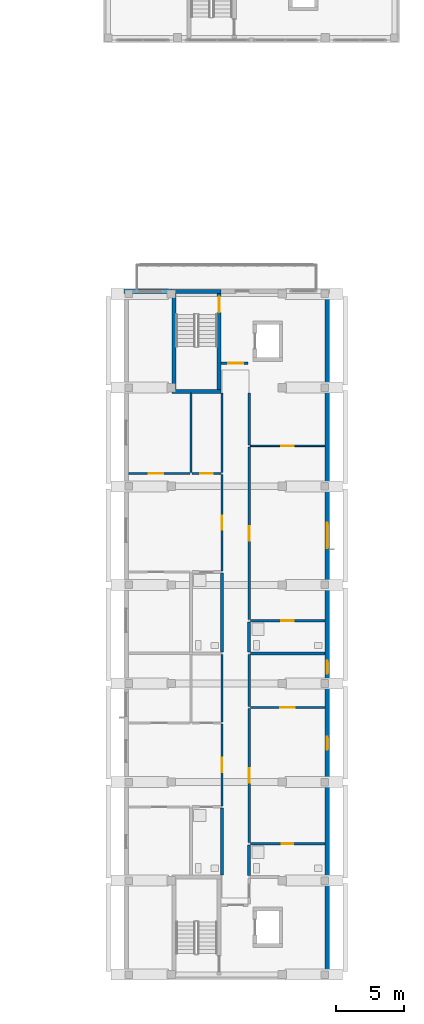
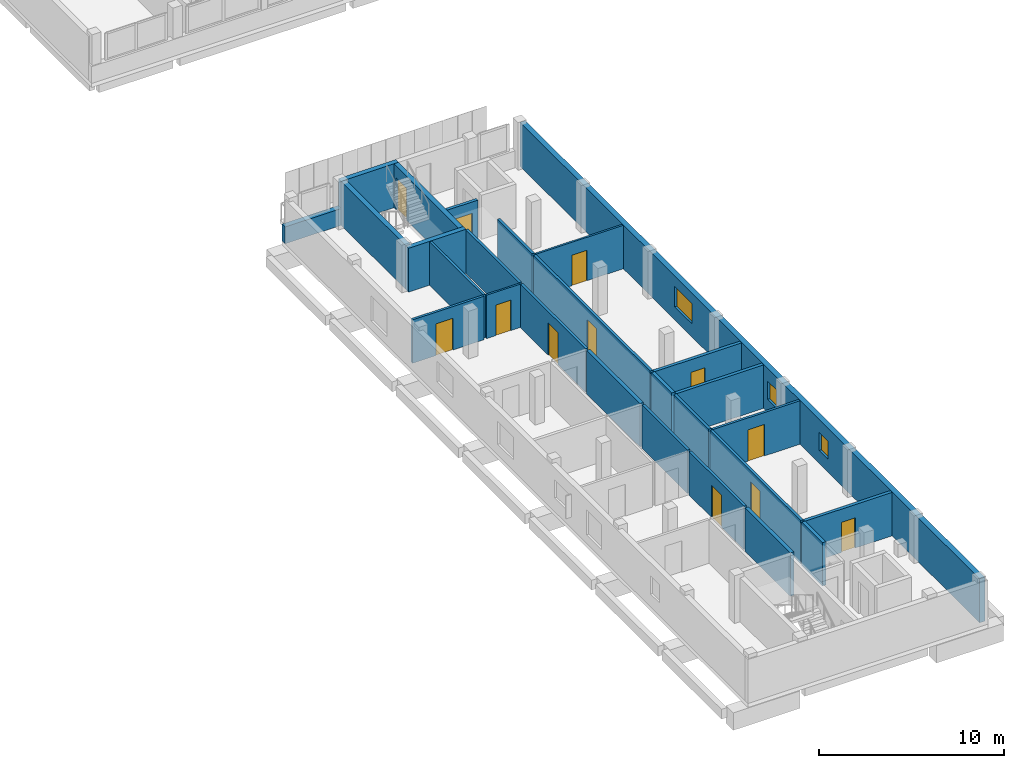
# One storey, part 20 of 38: 27 walls, 12 doors, 3 windows, 15 openings.
"""IFC4 building model written with IfcOpenShell, lengths in metres."""

from ifc_helpers import new_model, si_unit, derived_unit, direction, frame, frame_2d, origin, place, context, subcontext, project, spatial, rectangle, extrude, material, layer, layer_set, type_object, element, fill, save


model = new_model("IFC4")

# Units and contexts
model_context = context("Model", 3, precision=1e-05, world=origin(), true_north=direction((0.0, 1.0)))
body_context = subcontext(model_context, "Body", "Model", "MODEL_VIEW")
ifc_project = project(units=[si_unit("LENGTHUNIT", "METRE"), si_unit("AREAUNIT", "SQUARE_METRE"), si_unit("VOLUMEUNIT", "CUBIC_METRE"), si_unit("PLANEANGLEUNIT", "RADIAN"), si_unit("MASSUNIT", "GRAM", prefix="KILO"), derived_unit("THERMALTRANSMITTANCEUNIT", [(si_unit("MASSUNIT", "GRAM", prefix="KILO"), 1), (si_unit("TIMEUNIT", "SECOND"), -3), (si_unit("THERMODYNAMICTEMPERATUREUNIT", "KELVIN"), -1)])], contexts=[model_context])

# Site, building, storey
site_placement = place(None, origin())
site = spatial("IfcSite", under=ifc_project, at=site_placement, CompositionType="ELEMENT")
building_placement = place(site_placement, origin())
building = spatial("IfcBuilding", under=site, at=building_placement, Name="Ochrekiln Boulevard Commons", CompositionType="ELEMENT")
storey_placement = place(building_placement, frame((0.0, 0.0, 24.675048828125)))
storey = spatial("IfcBuildingStorey", under=building, at=storey_placement, Name="L07", CompositionType="ELEMENT", Elevation=24.675048828125)

# Wall, openings, windows
ifc_material_1 = material(Name="Desert ochre clinker brick masonry ASTM C216 Grade SW", Category="masonry")
ifc_layer_1 = layer(ifc_material_1, 0.330078125)
ifc_layer_set_1 = layer_set([ifc_layer_1], Name="Desert ochre clinker brick masonry ASTM C216 Grade SW")
wall_type_1 = type_object("IfcWallType", Name="WL-EXT-OCHRE-330", PredefinedType="SOLIDWALL", material=ifc_layer_set_1)
wall_1_placement = place(storey_placement, frame((167.534912109375, 0.330078125, 0.0), z_axis=(0.0, 0.0, 1.0), x_axis=(0.0, 1.0, 0.0)))
wall_1 = element("IfcWall", 1, at=wall_1_placement, inside=storey, type_object=wall_type_1, Name="Block C L07 E Exterior Wall", PredefinedType="SOLIDWALL", context=body_context, shape_type="SweptSolid", body=[
    extrude(rectangle(XDim=49.739990234375, YDim=0.330078125, at=frame_2d((24.8701171875, 0.0))), origin(), (0.0, 0.0, 1.0), 2.89990234375),
])
opening_1_placement = place(wall_1_placement, frame((16.416015625, 0.0, 0.85009765625)))
opening_1 = element("IfcOpeningElement", 2, at=opening_1_placement, cuts=wall_1, Name="Opening W-01", PredefinedType="OPENING", context=body_context, shape_type="SweptSolid", body=[
    extrude(rectangle(XDim=0.949951171875, YDim=1.199951171875, at=frame_2d((0.47509765625, 0.60009765625))), frame((0.0, 0.175048828125, 0.0), z_axis=(0.0, -1.0, 0.0), x_axis=(1.0, 0.0, 0.0)), (0.0, 0.0, 1.0), 0.35009765625),
])
opening_2_placement = place(wall_1_placement, frame((21.98095703125, 0.0, 0.85009765625)))
opening_2 = element("IfcOpeningElement", 3, at=opening_2_placement, cuts=wall_1, Name="Opening W-01", PredefinedType="OPENING", context=body_context, shape_type="SweptSolid", body=[
    extrude(rectangle(XDim=0.949951171875, YDim=1.199951171875, at=frame_2d((0.47509765625, 0.60009765625))), frame((0.0, 0.175048828125, 0.0), z_axis=(0.0, -1.0, 0.0), x_axis=(1.0, 0.0, 0.0)), (0.0, 0.0, 1.0), 0.35009765625),
])
opening_3_placement = place(wall_1_placement, frame((31.14501953125, 0.0, 0.864990234375)))
opening_3 = element("IfcOpeningElement", 4, at=opening_3_placement, cuts=wall_1, Name="Opening W-42", PredefinedType="OPENING", context=body_context, shape_type="SweptSolid", body=[
    extrude(rectangle(XDim=1.85009765625, YDim=1.35009765625, at=frame_2d((0.925048828125, 0.675048828125))), frame((0.0, 0.175048828125, 0.0), z_axis=(0.0, -1.0, 0.0), x_axis=(1.0, 0.0, 0.0)), (0.0, 0.0, 1.0), 0.35009765625),
])
ifc_material_2 = material(Name="Thermally broken aluminium-clad oak frame", Category="aluminium")
window_type_1 = type_object("IfcWindowType", Name="WIN-EXT-01", PartitioningType="SINGLE_PANEL", PredefinedType="WINDOW", material=ifc_material_2)
window_1_placement = place(opening_1_placement, origin())
window_1 = element("IfcWindow", 5, at=window_1_placement, inside=storey, type_object=window_type_1, Name="Block C L07 Punched Masonry Window W-01", OverallHeight=1.199951171875, OverallWidth=0.949951171875, PartitioningType="SINGLE_PANEL", PredefinedType="WINDOW", context=body_context, shape_type="SweptSolid", body=[
    extrude(rectangle(XDim=0.949951171875, YDim=1.199951171875, at=frame_2d((0.47509765625, 0.60009765625))), frame((0.0, 0.030029296875, 0.0), z_axis=(0.0, -1.0, 0.0), x_axis=(1.0, 0.0, 0.0)), (0.0, 0.0, 1.0), 0.06005859375),
])
fill(opening_1, window_1)
window_2_placement = place(opening_2_placement, origin())
window_2 = element("IfcWindow", 6, at=window_2_placement, inside=storey, type_object=window_type_1, Name="Block C L07 Punched Masonry Window W-01", OverallHeight=1.199951171875, OverallWidth=0.949951171875, PartitioningType="SINGLE_PANEL", PredefinedType="WINDOW", context=body_context, shape_type="SweptSolid", body=[
    extrude(rectangle(XDim=0.949951171875, YDim=1.199951171875, at=frame_2d((0.47509765625, 0.60009765625))), frame((0.0, 0.030029296875, 0.0), z_axis=(0.0, -1.0, 0.0), x_axis=(1.0, 0.0, 0.0)), (0.0, 0.0, 1.0), 0.06005859375),
])
fill(opening_2, window_2)
window_type_2 = type_object("IfcWindowType", Name="WIN-EXT-42", PartitioningType="DOUBLE_PANEL_VERTICAL", PredefinedType="WINDOW", material=ifc_material_2)
window_3_placement = place(opening_3_placement, origin())
window_3 = element("IfcWindow", 7, at=window_3_placement, inside=storey, type_object=window_type_2, Name="Block C L07 Punched Masonry Window W-42", OverallHeight=1.35009765625, OverallWidth=1.85009765625, PartitioningType="DOUBLE_PANEL_VERTICAL", PredefinedType="WINDOW", context=body_context, shape_type="SweptSolid", body=[
    extrude(rectangle(XDim=1.85009765625, YDim=1.35009765625, at=frame_2d((0.925048828125, 0.675048828125))), frame((0.0, 0.030029296875, 0.0), z_axis=(0.0, -1.0, 0.0), x_axis=(1.0, 0.0, 0.0)), (0.0, 0.0, 1.0), 0.06005859375),
])
fill(opening_3, window_3)

# Wall
wall_2_placement = place(storey_placement, frame((152.699951171875, 50.235107421875, 0.0), z_axis=(0.0, 0.0, 1.0), x_axis=(1.0, 0.0, 0.0)))
element("IfcWall", 8, at=wall_2_placement, inside=storey, type_object=wall_type_1, Name="Block C L07 Courtyard Gable Sill Wall L", PredefinedType="SOLIDWALL", context=body_context, shape_type="SweptSolid", body=[
    extrude(rectangle(XDim=3.5, YDim=0.330078125, at=frame_2d((1.75, 0.0))), origin(), (0.0, 0.0, 1.0), 1.10986328125),
])

# Wall, opening, door
ifc_material_3 = material(Name="Moisture-resistant cementitious tile backer wall")
ifc_layer_2 = layer(ifc_material_3, 0.199951171875)
ifc_layer_set_2 = layer_set([ifc_layer_2], Name="Moisture-resistant cementitious tile backer wall")
wall_type_2 = type_object("IfcWallType", Name="WL-PLM-200", PredefinedType="PLUMBINGWALL", material=ifc_layer_set_2)
wall_3_placement = place(storey_placement, frame((161.923095703125, 9.89990234375, 0.0), z_axis=(0.0, 0.0, 1.0), x_axis=(1.0, 0.0, 0.0)))
wall_3 = element("IfcWall", 9, at=wall_3_placement, inside=storey, type_object=wall_type_2, Name="L07 Interior Wall W-PW200", PredefinedType="PLUMBINGWALL", context=body_context, shape_type="SweptSolid", body=[
    extrude(rectangle(XDim=5.447021484375, YDim=0.199951171875, at=frame_2d((2.7236328125, 0.0))), origin(), (0.0, 0.0, 1.0), 2.869873046875),
])
opening_4_placement = place(wall_3_placement, frame((2.287109375, 0.0, 0.0)))
opening_4 = element("IfcOpeningElement", 10, at=opening_4_placement, cuts=wall_3, Name="Opening D-L07-969", PredefinedType="OPENING", context=body_context, shape_type="SweptSolid", body=[
    extrude(rectangle(XDim=0.860107421875, YDim=2.0, at=frame_2d((0.43017578125, 1.0))), frame((0.0, 0.10986328125, 0.0), z_axis=(0.0, -1.0, 0.0), x_axis=(1.0, 0.0, 0.0)), (0.0, 0.0, 1.0), 0.219970703125),
])
ifc_material_4 = material(Name="Solid core architectural oak door leaf")
door_type_1 = type_object("IfcDoorType", Name="DR-INT-BTH-086", OperationType="NOTDEFINED", PredefinedType="DOOR", material=ifc_material_4)
door_1_placement = place(opening_4_placement, frame((0.860107421875, 0.0, 0.0), z_axis=(0.0, 0.0, 1.0), x_axis=(-1.0, 0.0, 0.0)))
door_1 = element("IfcDoor", 11, at=door_1_placement, inside=storey, type_object=door_type_1, Name="L07 Interior Door to Loft Bathroom", OperationType="SINGLE_SWING_LEFT", OverallHeight=2.0, OverallWidth=0.860107421875, PredefinedType="DOOR", context=body_context, shape_type="SweptSolid", body=[
    extrude(rectangle(XDim=0.860107421875, YDim=2.0, at=frame_2d((0.43017578125, 1.0))), frame((0.0, 0.02490234375, 0.0), z_axis=(0.0, -1.0, 0.0), x_axis=(1.0, 0.0, 0.0)), (0.0, 0.0, 1.0), 0.050048828125),
])
fill(opening_4, door_1)

# Wall
wall_4_placement = place(storey_placement, frame((161.923095703125, 23.7919921875, 0.0), z_axis=(0.0, 0.0, 1.0), x_axis=(1.0, 0.0, 0.0)))
element("IfcWall", 12, at=wall_4_placement, inside=storey, type_object=wall_type_2, Name="L07 Interior Wall W-PW200", PredefinedType="PLUMBINGWALL", context=body_context, shape_type="SweptSolid", body=[
    extrude(rectangle(XDim=5.447021484375, YDim=0.199951171875, at=frame_2d((2.7236328125, 0.0))), origin(), (0.0, 0.0, 1.0), 2.869873046875),
])

# Wall, opening, door
wall_5_placement = place(storey_placement, frame((161.923095703125, 26.181884765625, 0.0), z_axis=(0.0, 0.0, 1.0), x_axis=(1.0, 0.0, 0.0)))
wall_5 = element("IfcWall", 13, at=wall_5_placement, inside=storey, type_object=wall_type_2, Name="L07 Interior Wall W-PW200", PredefinedType="PLUMBINGWALL", context=body_context, shape_type="SweptSolid", body=[
    extrude(rectangle(XDim=5.447021484375, YDim=0.199951171875, at=frame_2d((2.7236328125, 0.0))), origin(), (0.0, 0.0, 1.0), 2.869873046875),
])
opening_5_placement = place(wall_5_placement, frame((2.27197265625, 0.0, 0.0)))
opening_5 = element("IfcOpeningElement", 14, at=opening_5_placement, cuts=wall_5, Name="Opening D-L07-971", PredefinedType="OPENING", context=body_context, shape_type="SweptSolid", body=[
    extrude(rectangle(XDim=0.889892578125, YDim=2.030029296875, at=frame_2d((0.44482421875, 1.01513671875))), frame((0.0, 0.10986328125, 0.0), z_axis=(0.0, -1.0, 0.0), x_axis=(1.0, 0.0, 0.0)), (0.0, 0.0, 1.0), 0.219970703125),
])
door_type_2 = type_object("IfcDoorType", Name="DR-INT-BTH-089", OperationType="NOTDEFINED", PredefinedType="DOOR", material=ifc_material_4)
door_2_placement = place(opening_5_placement, frame((0.889892578125, 0.0, 0.0), z_axis=(0.0, 0.0, 1.0), x_axis=(-1.0, 0.0, 0.0)))
door_2 = element("IfcDoor", 15, at=door_2_placement, inside=storey, type_object=door_type_2, Name="L07 Interior Door to Loft Bathroom", OperationType="SINGLE_SWING_LEFT", OverallHeight=2.030029296875, OverallWidth=0.889892578125, PredefinedType="DOOR", context=body_context, shape_type="SweptSolid", body=[
    extrude(rectangle(XDim=0.889892578125, YDim=2.030029296875, at=frame_2d((0.44482421875, 1.01513671875))), frame((0.0, 0.02490234375, 0.0), z_axis=(0.0, -1.0, 0.0), x_axis=(1.0, 0.0, 0.0)), (0.0, 0.0, 1.0), 0.050048828125),
])
fill(opening_5, door_2)

# Walls
ifc_layer_3 = layer(ifc_material_3, 0.219970703125)
ifc_layer_set_3 = layer_set([ifc_layer_3], Name="Moisture-resistant cementitious tile backer wall")
wall_type_3 = type_object("IfcWallType", Name="WL-PLM-220", PredefinedType="PLUMBINGWALL", material=ifc_layer_set_3)
wall_6_placement = place(storey_placement, frame((159.860107421875, 7.60009765625, 0.0), z_axis=(0.0, 0.0, 1.0), x_axis=(0.0, 1.0, 0.0)))
element("IfcWall", 16, at=wall_6_placement, inside=storey, type_object=wall_type_3, Name="L07 Interior Wall W-PW220", PredefinedType="PLUMBINGWALL", context=body_context, shape_type="SweptSolid", body=[
    extrude(rectangle(XDim=4.911865234375, YDim=0.219970703125, at=frame_2d((2.4560546875, 0.0))), origin(), (0.0, 0.0, 1.0), 2.869873046875),
])
wall_7_placement = place(storey_placement, frame((159.860107421875, 23.882080078125, 0.0), z_axis=(0.0, 0.0, 1.0), x_axis=(0.0, 1.0, 0.0)))
element("IfcWall", 17, at=wall_7_placement, inside=storey, type_object=wall_type_3, Name="L07 Interior Wall W-PW220", PredefinedType="PLUMBINGWALL", context=body_context, shape_type="SweptSolid", body=[
    extrude(rectangle(XDim=5.784912109375, YDim=0.219970703125, at=frame_2d((2.892578125, 0.0))), origin(), (0.0, 0.0, 1.0), 2.869873046875),
])
wall_8_placement = place(storey_placement, frame((161.840087890625, 7.574951171875, 0.0), z_axis=(0.0, 0.0, 1.0), x_axis=(0.0, 1.0, 0.0)))
element("IfcWall", 18, at=wall_8_placement, inside=storey, type_object=wall_type_3, Name="L07 Interior Wall W-PW220", PredefinedType="PLUMBINGWALL", context=body_context, shape_type="SweptSolid", body=[
    extrude(rectangle(XDim=2.2451171875, YDim=0.219970703125, at=frame_2d((1.12255859375, 0.0))), origin(), (0.0, 0.0, 1.0), 2.869873046875),
])
wall_9_placement = place(storey_placement, frame((161.840087890625, 23.882080078125, 0.0), z_axis=(0.0, 0.0, 1.0), x_axis=(0.0, 1.0, 0.0)))
element("IfcWall", 19, at=wall_9_placement, inside=storey, type_object=wall_type_3, Name="L07 Interior Wall W-PW220", PredefinedType="PLUMBINGWALL", context=body_context, shape_type="SweptSolid", body=[
    extrude(rectangle(XDim=2.219970703125, YDim=0.219970703125, at=frame_2d((1.10986328125, 0.0))), origin(), (0.0, 0.0, 1.0), 2.869873046875),
])

# Wall, opening, door
ifc_material_5 = material(Name="Fire-rated Type X gypsum board on steel studs", Category="steel")
ifc_layer_4 = layer(ifc_material_5, 0.1650390625)
ifc_layer_set_4 = layer_set([ifc_layer_4], Name="Fire-rated Type X gypsum board on steel studs")
wall_type_4 = type_object("IfcWallType", Name="WL-PT-CORR-165", PredefinedType="PARTITIONING", material=ifc_layer_set_4)
wall_10_placement = place(storey_placement, frame((159.860107421875, 12.672119140625, 0.0), z_axis=(0.0, 0.0, 1.0), x_axis=(0.0, 1.0, 0.0)))
wall_10 = element("IfcWall", 20, at=wall_10_placement, inside=storey, type_object=wall_type_4, Name="L07 Interior Wall W-PC165", PredefinedType="PARTITIONING", context=body_context, shape_type="SweptSolid", body=[
    extrude(rectangle(XDim=5.957763671875, YDim=0.1650390625, at=frame_2d((2.97900390625, 0.0))), origin(), (0.0, 0.0, 1.0), 2.869873046875),
])
opening_6_placement = place(wall_10_placement, frame((2.4541015625, 0.0, 0.0)))
opening_6 = element("IfcOpeningElement", 21, at=opening_6_placement, cuts=wall_10, Name="Opening D-L07-957", PredefinedType="OPENING", context=body_context, shape_type="SweptSolid", body=[
    extrude(rectangle(XDim=1.050048828125, YDim=2.1298828125, at=frame_2d((0.52490234375, 1.06494140625))), frame((0.0, 0.092529296875, 0.0), z_axis=(0.0, -1.0, 0.0), x_axis=(1.0, 0.0, 0.0)), (0.0, 0.0, 1.0), 0.18505859375),
])
door_type_3 = type_object("IfcDoorType", Name="DR-INT-APT-105", OperationType="NOTDEFINED", PredefinedType="DOOR", material=ifc_material_4)
door_3_placement = place(opening_6_placement, origin())
door_3 = element("IfcDoor", 22, at=door_3_placement, inside=storey, type_object=door_type_3, Name="L07 Interior Door to Two-Bedroom Apartment Living Room", OperationType="SINGLE_SWING_LEFT", OverallHeight=2.1298828125, OverallWidth=1.050048828125, PredefinedType="DOOR", context=body_context, shape_type="SweptSolid", body=[
    extrude(rectangle(XDim=1.050048828125, YDim=2.1298828125, at=frame_2d((0.52490234375, 1.06494140625))), frame((0.0, 0.02490234375, 0.0), z_axis=(0.0, -1.0, 0.0), x_axis=(1.0, 0.0, 0.0)), (0.0, 0.0, 1.0), 0.050048828125),
])
fill(opening_6, door_3)

# Wall
wall_11_placement = place(storey_placement, frame((159.860107421875, 18.7900390625, 0.0), z_axis=(0.0, 0.0, 1.0), x_axis=(0.0, 1.0, 0.0)))
element("IfcWall", 23, at=wall_11_placement, inside=storey, type_object=wall_type_4, Name="L07 Interior Wall W-PC165", PredefinedType="PARTITIONING", context=body_context, shape_type="SweptSolid", body=[
    extrude(rectangle(XDim=4.911865234375, YDim=0.1650390625, at=frame_2d((2.4560546875, 0.0))), origin(), (0.0, 0.0, 1.0), 2.869873046875),
])

# Wall, opening, door
wall_12_placement = place(storey_placement, frame((159.860107421875, 29.826904296875, 0.0), z_axis=(0.0, 0.0, 1.0), x_axis=(0.0, 1.0, 0.0)))
wall_12 = element("IfcWall", 24, at=wall_12_placement, inside=storey, type_object=wall_type_4, Name="L07 Interior Wall W-PC165", PredefinedType="PARTITIONING", context=body_context, shape_type="SweptSolid", body=[
    extrude(rectangle(XDim=7.028076171875, YDim=0.1650390625, at=frame_2d((3.51416015625, 0.0))), origin(), (0.0, 0.0, 1.0), 2.869873046875),
])
opening_7_placement = place(wall_12_placement, frame((2.989013671875, 0.0, 0.0)))
opening_7 = element("IfcOpeningElement", 25, at=opening_7_placement, cuts=wall_12, Name="Opening D-L07-958", PredefinedType="OPENING", context=body_context, shape_type="SweptSolid", body=[
    extrude(rectangle(XDim=1.050048828125, YDim=2.1298828125, at=frame_2d((0.52490234375, 1.06494140625))), frame((0.0, 0.092529296875, 0.0), z_axis=(0.0, -1.0, 0.0), x_axis=(1.0, 0.0, 0.0)), (0.0, 0.0, 1.0), 0.18505859375),
])
door_4_placement = place(opening_7_placement, origin())
door_4 = element("IfcDoor", 26, at=door_4_placement, inside=storey, type_object=door_type_3, Name="L07 Interior Door to Two-Bedroom Apartment Living Room", OperationType="SINGLE_SWING_RIGHT", OverallHeight=2.1298828125, OverallWidth=1.050048828125, PredefinedType="DOOR", context=body_context, shape_type="SweptSolid", body=[
    extrude(rectangle(XDim=1.050048828125, YDim=2.1298828125, at=frame_2d((0.52490234375, 1.06494140625))), frame((0.0, 0.02490234375, 0.0), z_axis=(0.0, -1.0, 0.0), x_axis=(1.0, 0.0, 0.0)), (0.0, 0.0, 1.0), 0.050048828125),
])
fill(opening_7, door_4)

# Wall
wall_13_placement = place(storey_placement, frame((159.860107421875, 37.014892578125, 0.0), z_axis=(0.0, 0.0, 1.0), x_axis=(0.0, 1.0, 0.0)))
element("IfcWall", 27, at=wall_13_placement, inside=storey, type_object=wall_type_4, Name="L07 Interior Wall W-PC165", PredefinedType="PARTITIONING", context=body_context, shape_type="SweptSolid", body=[
    extrude(rectangle(XDim=5.78515625, YDim=0.1650390625, at=frame_2d((2.892578125, 0.0))), origin(), (0.0, 0.0, 1.0), 2.869873046875),
])

# Wall, opening, door
wall_14_placement = place(storey_placement, frame((161.840087890625, 9.97998046875, 0.0), z_axis=(0.0, 0.0, 1.0), x_axis=(0.0, 1.0, 0.0)))
wall_14 = element("IfcWall", 28, at=wall_14_placement, inside=storey, type_object=wall_type_4, Name="L07 Interior Wall W-PC165", PredefinedType="PARTITIONING", context=body_context, shape_type="SweptSolid", body=[
    extrude(rectangle(XDim=9.7919921875, YDim=0.1650390625, at=frame_2d((4.89599609375, 0.0))), origin(), (0.0, 0.0, 1.0), 2.869873046875),
])
opening_8_placement = place(wall_14_placement, frame((4.37109375, 0.0, 0.0)))
opening_8 = element("IfcOpeningElement", 29, at=opening_8_placement, cuts=wall_14, Name="Opening D-L07-959", PredefinedType="OPENING", context=body_context, shape_type="SweptSolid", body=[
    extrude(rectangle(XDim=1.050048828125, YDim=2.1298828125, at=frame_2d((0.52490234375, 1.06494140625))), frame((0.0, 0.092529296875, 0.0), z_axis=(0.0, -1.0, 0.0), x_axis=(1.0, 0.0, 0.0)), (0.0, 0.0, 1.0), 0.18505859375),
])
door_5_placement = place(opening_8_placement, frame((1.050048828125, 0.0, 0.0), z_axis=(0.0, 0.0, 1.0), x_axis=(-1.0, 0.0, 0.0)))
door_5 = element("IfcDoor", 30, at=door_5_placement, inside=storey, type_object=door_type_3, Name="L07 Interior Door to Loft Living Room", OperationType="SINGLE_SWING_LEFT", OverallHeight=2.1298828125, OverallWidth=1.050048828125, PredefinedType="DOOR", context=body_context, shape_type="SweptSolid", body=[
    extrude(rectangle(XDim=1.050048828125, YDim=2.1298828125, at=frame_2d((0.52490234375, 1.06494140625))), frame((0.0, 0.02490234375, 0.0), z_axis=(0.0, -1.0, 0.0), x_axis=(1.0, 0.0, 0.0)), (0.0, 0.0, 1.0), 0.050048828125),
])
fill(opening_8, door_5)

# Wall
wall_15_placement = place(storey_placement, frame((161.840087890625, 19.931884765625, 0.0), z_axis=(0.0, 0.0, 1.0), x_axis=(0.0, 1.0, 0.0)))
element("IfcWall", 31, at=wall_15_placement, inside=storey, type_object=wall_type_4, Name="L07 Interior Wall W-PC165", PredefinedType="PARTITIONING", context=body_context, shape_type="SweptSolid", body=[
    extrude(rectangle(XDim=3.77001953125, YDim=0.1650390625, at=frame_2d((1.885009765625, 0.0))), origin(), (0.0, 0.0, 1.0), 2.869873046875),
])

# Wall, opening, door
wall_16_placement = place(storey_placement, frame((161.840087890625, 26.261962890625, 0.0), z_axis=(0.0, 0.0, 1.0), x_axis=(0.0, 1.0, 0.0)))
wall_16 = element("IfcWall", 32, at=wall_16_placement, inside=storey, type_object=wall_type_4, Name="L07 Interior Wall W-PC165", PredefinedType="PARTITIONING", context=body_context, shape_type="SweptSolid", body=[
    extrude(rectangle(XDim=12.608154296875, YDim=0.1650390625, at=frame_2d((6.30419921875, 0.0))), origin(), (0.0, 0.0, 1.0), 2.869873046875),
])
opening_9_placement = place(wall_16_placement, frame((5.779052734375, 0.0, 0.0)))
opening_9 = element("IfcOpeningElement", 33, at=opening_9_placement, cuts=wall_16, Name="Opening D-L07-960", PredefinedType="OPENING", context=body_context, shape_type="SweptSolid", body=[
    extrude(rectangle(XDim=1.050048828125, YDim=2.1298828125, at=frame_2d((0.52490234375, 1.06494140625))), frame((0.0, 0.092529296875, 0.0), z_axis=(0.0, -1.0, 0.0), x_axis=(1.0, 0.0, 0.0)), (0.0, 0.0, 1.0), 0.18505859375),
])
door_6_placement = place(opening_9_placement, frame((1.050048828125, 0.0, 0.0), z_axis=(0.0, 0.0, 1.0), x_axis=(-1.0, 0.0, 0.0)))
door_6 = element("IfcDoor", 34, at=door_6_placement, inside=storey, type_object=door_type_3, Name="L07 Interior Door to Loft Living Room", OperationType="SINGLE_SWING_RIGHT", OverallHeight=2.1298828125, OverallWidth=1.050048828125, PredefinedType="DOOR", context=body_context, shape_type="SweptSolid", body=[
    extrude(rectangle(XDim=1.050048828125, YDim=2.1298828125, at=frame_2d((0.52490234375, 1.06494140625))), frame((0.0, 0.02490234375, 0.0), z_axis=(0.0, -1.0, 0.0), x_axis=(1.0, 0.0, 0.0)), (0.0, 0.0, 1.0), 0.050048828125),
])
fill(opening_9, door_6)

# Wall
wall_17_placement = place(storey_placement, frame((161.840087890625, 39.030029296875, 0.0), z_axis=(0.0, 0.0, 1.0), x_axis=(0.0, 1.0, 0.0)))
element("IfcWall", 35, at=wall_17_placement, inside=storey, type_object=wall_type_4, Name="L07 Interior Wall W-PC165", PredefinedType="PARTITIONING", context=body_context, shape_type="SweptSolid", body=[
    extrude(rectangle(XDim=3.77001953125, YDim=0.1650390625, at=frame_2d((1.885009765625, 0.0))), origin(), (0.0, 0.0, 1.0), 2.869873046875),
])

# Wall, opening, door
ifc_layer_5 = layer(ifc_material_5, 0.18994140625)
ifc_layer_set_5 = layer_set([ifc_layer_5], Name="Fire-rated Type X gypsum board on steel studs")
wall_type_5 = type_object("IfcWallType", Name="WL-PT-LBY-190", PredefinedType="PARTITIONING", material=ifc_layer_set_5)
wall_18_placement = place(storey_placement, frame((159.800048828125, 44.97998046875, 0.0), z_axis=(0.0, 0.0, 1.0), x_axis=(1.0, 0.0, 0.0)))
wall_18 = element("IfcWall", 36, at=wall_18_placement, inside=storey, type_object=wall_type_5, Name="L07 Interior Wall W-PL190", PredefinedType="PARTITIONING", context=body_context, shape_type="SweptSolid", body=[
    extrude(rectangle(XDim=1.949951171875, YDim=0.18994140625, at=frame_2d((0.97509765625, 0.0))), origin(), (0.0, 0.0, 1.0), 2.869873046875),
])
opening_10_placement = place(wall_18_placement, frame((0.5, 0.0, 0.0)))
opening_10 = element("IfcOpeningElement", 37, at=opening_10_placement, cuts=wall_18, Name="Opening D-L07-955", PredefinedType="OPENING", context=body_context, shape_type="SweptSolid", body=[
    extrude(rectangle(XDim=1.10009765625, YDim=2.1201171875, at=frame_2d((0.550048828125, 1.06005859375))), frame((0.0, 0.10498046875, 0.0), z_axis=(0.0, -1.0, 0.0), x_axis=(1.0, 0.0, 0.0)), (0.0, 0.0, 1.0), 0.2099609375),
])
ifc_material_6 = material(Name="Hollow metal fire-rated steel door assembly", Category="steel")
door_type_4 = type_object("IfcDoorType", Name="DR-LOBBY-60", OperationType="NOTDEFINED", PredefinedType="DOOR", material=ifc_material_6)
door_7_placement = place(opening_10_placement, origin())
door_7 = element("IfcDoor", 38, at=door_7_placement, inside=storey, type_object=door_type_4, Name="L07 Interior Door to Passenger Elevator Lobby", OperationType="SINGLE_SWING_LEFT", OverallHeight=2.1201171875, OverallWidth=1.10009765625, PredefinedType="DOOR", context=body_context, shape_type="SweptSolid", body=[
    extrude(rectangle(XDim=1.10009765625, YDim=2.1201171875, at=frame_2d((0.550048828125, 1.06005859375))), frame((0.0, 0.02490234375, 0.0), z_axis=(0.0, -1.0, 0.0), x_axis=(1.0, 0.0, 0.0)), (0.0, 0.0, 1.0), 0.050048828125),
])
fill(opening_10, door_7)

ifc_layer_6 = layer(ifc_material_5, 0.1201171875)
ifc_layer_set_6 = layer_set([ifc_layer_6], Name="Fire-rated Type X gypsum board on steel studs")
wall_type_6 = type_object("IfcWallType", Name="WL-PT-LGT-120", PredefinedType="PARTITIONING", material=ifc_layer_set_6)
wall_19_placement = place(storey_placement, frame((157.669921875, 36.93505859375, 0.0), z_axis=(0.0, 0.0, 1.0), x_axis=(1.0, 0.0, 0.0)))
wall_19 = element("IfcWall", 39, at=wall_19_placement, inside=storey, type_object=wall_type_6, Name="L07 Interior Wall W-PL120", PredefinedType="PARTITIONING", context=body_context, shape_type="SweptSolid", body=[
    extrude(rectangle(XDim=2.108154296875, YDim=0.1201171875, at=frame_2d((1.05419921875, 0.0))), origin(), (0.0, 0.0, 1.0), 2.869873046875),
])
opening_11_placement = place(wall_19_placement, frame((0.590087890625, 0.0, 0.0)))
opening_11 = element("IfcOpeningElement", 40, at=opening_11_placement, cuts=wall_19, Name="Opening D-L07-966", PredefinedType="OPENING", context=body_context, shape_type="SweptSolid", body=[
    extrude(rectangle(XDim=0.919921875, YDim=2.02001953125, at=frame_2d((0.4599609375, 1.010009765625))), frame((0.0, 0.070068359375, 0.0), z_axis=(0.0, -1.0, 0.0), x_axis=(1.0, 0.0, 0.0)), (0.0, 0.0, 1.0), 0.14013671875),
])
door_type_5 = type_object("IfcDoorType", Name="DR-INT-KIT-092", OperationType="NOTDEFINED", PredefinedType="DOOR", material=ifc_material_4)
door_8_placement = place(opening_11_placement, origin())
door_8 = element("IfcDoor", 41, at=door_8_placement, inside=storey, type_object=door_type_5, Name="L07 Interior Door to Apartment Kitchen", OperationType="SINGLE_SWING_RIGHT", OverallHeight=2.02001953125, OverallWidth=0.919921875, PredefinedType="DOOR", context=body_context, shape_type="SweptSolid", body=[
    extrude(rectangle(XDim=0.919921875, YDim=2.02001953125, at=frame_2d((0.4599609375, 1.010009765625))), frame((0.0, 0.02490234375, 0.0), z_axis=(0.0, -1.0, 0.0), x_axis=(1.0, 0.0, 0.0)), (0.0, 0.0, 1.0), 0.050048828125),
])
fill(opening_11, door_8)

wall_20_placement = place(storey_placement, frame((161.923095703125, 38.949951171875, 0.0), z_axis=(0.0, 0.0, 1.0), x_axis=(1.0, 0.0, 0.0)))
wall_20 = element("IfcWall", 42, at=wall_20_placement, inside=storey, type_object=wall_type_6, Name="L07 Interior Wall W-PL120", PredefinedType="PARTITIONING", context=body_context, shape_type="SweptSolid", body=[
    extrude(rectangle(XDim=5.447021484375, YDim=0.1201171875, at=frame_2d((2.7236328125, 0.0))), origin(), (0.0, 0.0, 1.0), 2.869873046875),
])
opening_12_placement = place(wall_20_placement, frame((2.257080078125, 0.0, 0.0)))
opening_12 = element("IfcOpeningElement", 43, at=opening_12_placement, cuts=wall_20, Name="Opening D-L07-972", PredefinedType="OPENING", context=body_context, shape_type="SweptSolid", body=[
    extrude(rectangle(XDim=0.919921875, YDim=2.02001953125, at=frame_2d((0.4599609375, 1.010009765625))), frame((0.0, 0.070068359375, 0.0), z_axis=(0.0, -1.0, 0.0), x_axis=(1.0, 0.0, 0.0)), (0.0, 0.0, 1.0), 0.14013671875),
])
door_9_placement = place(opening_12_placement, origin())
door_9 = element("IfcDoor", 44, at=door_9_placement, inside=storey, type_object=door_type_5, Name="L07 Interior Door to Loft Kitchen", OperationType="SINGLE_SWING_RIGHT", OverallHeight=2.02001953125, OverallWidth=0.919921875, PredefinedType="DOOR", context=body_context, shape_type="SweptSolid", body=[
    extrude(rectangle(XDim=0.919921875, YDim=2.02001953125, at=frame_2d((0.4599609375, 1.010009765625))), frame((0.0, 0.02490234375, 0.0), z_axis=(0.0, -1.0, 0.0), x_axis=(1.0, 0.0, 0.0)), (0.0, 0.0, 1.0), 0.050048828125),
])
fill(opening_12, door_9)

ifc_layer_7 = layer(ifc_material_5, 0.14990234375)
ifc_layer_set_7 = layer_set([ifc_layer_7], Name="Fire-rated Type X gypsum board on steel studs")
wall_type_7 = type_object("IfcWallType", Name="WL-PT-STD-150", PredefinedType="PARTITIONING", material=ifc_layer_set_7)
wall_21_placement = place(storey_placement, frame((153.030029296875, 36.93505859375, 0.0), z_axis=(0.0, 0.0, 1.0), x_axis=(1.0, 0.0, 0.0)))
wall_21 = element("IfcWall", 45, at=wall_21_placement, inside=storey, type_object=wall_type_7, Name="L07 Interior Wall W-PS150", PredefinedType="PARTITIONING", context=body_context, shape_type="SweptSolid", body=[
    extrude(rectangle(XDim=4.47998046875, YDim=0.14990234375, at=frame_2d((2.239990234375, 0.0))), origin(), (0.0, 0.0, 1.0), 2.869873046875),
])
opening_13_placement = place(wall_21_placement, frame((1.4599609375, 0.0, 0.0)))
opening_13 = element("IfcOpeningElement", 46, at=opening_13_placement, cuts=wall_21, Name="Opening D-L07-968", PredefinedType="OPENING", context=body_context, shape_type="SweptSolid", body=[
    extrude(rectangle(XDim=1.080078125, YDim=2.10009765625, at=frame_2d((0.5400390625, 1.050048828125))), frame((0.0, 0.0849609375, 0.0), z_axis=(0.0, -1.0, 0.0), x_axis=(1.0, 0.0, 0.0)), (0.0, 0.0, 1.0), 0.169921875),
])
door_type_6 = type_object("IfcDoorType", Name="DR-INT-BED-108", OperationType="NOTDEFINED", PredefinedType="DOOR", material=ifc_material_4)
door_10_placement = place(opening_13_placement, origin())
door_10 = element("IfcDoor", 47, at=door_10_placement, inside=storey, type_object=door_type_6, Name="L07 Interior Door to Secondary Apartment Bedroom", OperationType="SINGLE_SWING_RIGHT", OverallHeight=2.10009765625, OverallWidth=1.080078125, PredefinedType="DOOR", context=body_context, shape_type="SweptSolid", body=[
    extrude(rectangle(XDim=1.080078125, YDim=2.10009765625, at=frame_2d((0.5400390625, 1.050048828125))), frame((0.0, 0.02490234375, 0.0), z_axis=(0.0, -1.0, 0.0), x_axis=(1.0, 0.0, 0.0)), (0.0, 0.0, 1.0), 0.050048828125),
])
fill(opening_13, door_10)

# Wall
wall_22_placement = place(storey_placement, frame((157.590087890625, 36.9951171875, 0.0), z_axis=(0.0, 0.0, 1.0), x_axis=(0.0, 1.0, 0.0)))
element("IfcWall", 48, at=wall_22_placement, inside=storey, type_object=wall_type_7, Name="L07 Interior Wall W-PS150", PredefinedType="PARTITIONING", context=body_context, shape_type="SweptSolid", body=[
    extrude(rectangle(XDim=5.804931640625, YDim=0.14990234375, at=frame_2d((2.90234375, 0.0))), origin(), (0.0, 0.0, 1.0), 2.869873046875),
])

# Wall, opening, door
wall_23_placement = place(storey_placement, frame((161.923095703125, 19.85205078125, 0.0), z_axis=(0.0, 0.0, 1.0), x_axis=(1.0, 0.0, 0.0)))
wall_23 = element("IfcWall", 49, at=wall_23_placement, inside=storey, type_object=wall_type_7, Name="L07 Interior Wall W-PS150", PredefinedType="PARTITIONING", context=body_context, shape_type="SweptSolid", body=[
    extrude(rectangle(XDim=5.447021484375, YDim=0.14990234375, at=frame_2d((2.7236328125, 0.0))), origin(), (0.0, 0.0, 1.0), 2.869873046875),
])
opening_14_placement = place(wall_23_placement, frame((2.197021484375, 0.0, 0.0)))
opening_14 = element("IfcOpeningElement", 50, at=opening_14_placement, cuts=wall_23, Name="Opening D-L07-970", PredefinedType="OPENING", context=body_context, shape_type="SweptSolid", body=[
    extrude(rectangle(XDim=1.0400390625, YDim=2.080078125, at=frame_2d((0.52001953125, 1.0400390625))), frame((0.0, 0.0849609375, 0.0), z_axis=(0.0, -1.0, 0.0), x_axis=(1.0, 0.0, 0.0)), (0.0, 0.0, 1.0), 0.169921875),
])
door_type_7 = type_object("IfcDoorType", Name="DR-INT-BED-104", OperationType="NOTDEFINED", PredefinedType="DOOR", material=ifc_material_4)
door_11_placement = place(opening_14_placement, origin())
door_11 = element("IfcDoor", 51, at=door_11_placement, inside=storey, type_object=door_type_7, Name="L07 Interior Door to Loft Bedroom", OperationType="SINGLE_SWING_RIGHT", OverallHeight=2.080078125, OverallWidth=1.0400390625, PredefinedType="DOOR", context=body_context, shape_type="SweptSolid", body=[
    extrude(rectangle(XDim=1.0400390625, YDim=2.080078125, at=frame_2d((0.52001953125, 1.0400390625))), frame((0.0, 0.02490234375, 0.0), z_axis=(0.0, -1.0, 0.0), x_axis=(1.0, 0.0, 0.0)), (0.0, 0.0, 1.0), 0.050048828125),
])
fill(opening_14, door_11)

# Walls
ifc_material_7 = material(Name="Concrete C40/50", Category="concrete")
ifc_layer_8 = layer(ifc_material_7, 0.300048828125)
ifc_layer_set_8 = layer_set([ifc_layer_8], Name="Concrete C40/50")
wall_type_8 = type_object("IfcWallType", Name="WL-SH-300", PredefinedType="SHEAR", material=ifc_layer_set_8)
for number, where, z_axis, x_axis, name in (
    (52, (156.199951171875, 42.929931640625, 0.0), (0.0, 0.0, 1.0), (1.0, 0.0, 0.0), "Stair ST-C2 L07 Core Shear Wall S"),
    (53, (156.199951171875, 50.22998046875, 0.0), (0.0, 0.0, 1.0), (1.0, 0.0, 0.0), "Stair ST-C2 L07 Core Shear Wall N"),
):
    element("IfcWall", number, at=place(storey_placement, frame(where, z_axis=z_axis, x_axis=x_axis)), inside=storey, type_object=wall_type_8, Name=name, PredefinedType="SHEAR", context=body_context, shape_type="SweptSolid", body=[
        extrude(rectangle(XDim=3.60009765625, YDim=0.300048828125, at=frame_2d((1.800048828125, 0.0))), origin(), (0.0, 0.0, 1.0), 2.89990234375),
    ])
wall_24_placement = place(storey_placement, frame((156.35009765625, 43.080078125, 0.0), z_axis=(0.0, 0.0, 1.0), x_axis=(0.0, 1.0, 0.0)))
element("IfcWall", 54, at=wall_24_placement, inside=storey, type_object=wall_type_8, Name="Stair ST-C2 L07 Core Shear Wall W", PredefinedType="SHEAR", context=body_context, shape_type="SweptSolid", body=[
    extrude(rectangle(XDim=7.0, YDim=0.300048828125, at=frame_2d((3.5, 0.0))), origin(), (0.0, 0.0, 1.0), 2.89990234375),
])

# Wall, opening, door
wall_25_placement = place(storey_placement, frame((159.64990234375, 43.080078125, 0.0), z_axis=(0.0, 0.0, 1.0), x_axis=(0.0, 1.0, 0.0)))
wall_25 = element("IfcWall", 55, at=wall_25_placement, inside=storey, type_object=wall_type_8, Name="Stair ST-C2 L07 Core Shear Wall E", PredefinedType="SHEAR", context=body_context, shape_type="SweptSolid", body=[
    extrude(rectangle(XDim=7.0, YDim=0.300048828125, at=frame_2d((3.5, 0.0))), origin(), (0.0, 0.0, 1.0), 2.89990234375),
])
opening_15_placement = place(wall_25_placement, frame((5.625, 0.0, 0.0)))
opening_15 = element("IfcOpeningElement", 56, at=opening_15_placement, cuts=wall_25, Name="Opening D-L07-ST-C2", PredefinedType="OPENING", context=body_context, shape_type="SweptSolid", body=[
    extrude(rectangle(XDim=1.14990234375, YDim=2.1201171875, at=frame_2d((0.574951171875, 1.06005859375))), frame((0.0, 0.159912109375, 0.0), z_axis=(0.0, -1.0, 0.0), x_axis=(1.0, 0.0, 0.0)), (0.0, 0.0, 1.0), 0.320068359375),
])
door_type_8 = type_object("IfcDoorType", Name="DR-STAIR-90", OperationType="NOTDEFINED", PredefinedType="DOOR", material=ifc_material_6)
door_12_placement = place(opening_15_placement, origin())
door_12 = element("IfcDoor", 57, at=door_12_placement, inside=storey, type_object=door_type_8, Name="Enclosed Exit Stair ST-C2 L07 Rated Door", OperationType="SINGLE_SWING_LEFT", OverallHeight=2.1201171875, OverallWidth=1.14990234375, PredefinedType="DOOR", context=body_context, shape_type="SweptSolid", body=[
    extrude(rectangle(XDim=1.14990234375, YDim=2.1201171875, at=frame_2d((0.574951171875, 1.06005859375))), frame((0.0, 0.02490234375, 0.0), z_axis=(0.0, -1.0, 0.0), x_axis=(1.0, 0.0, 0.0)), (0.0, 0.0, 1.0), 0.050048828125),
])
fill(opening_15, door_12)

save(model, "model.ifc")
